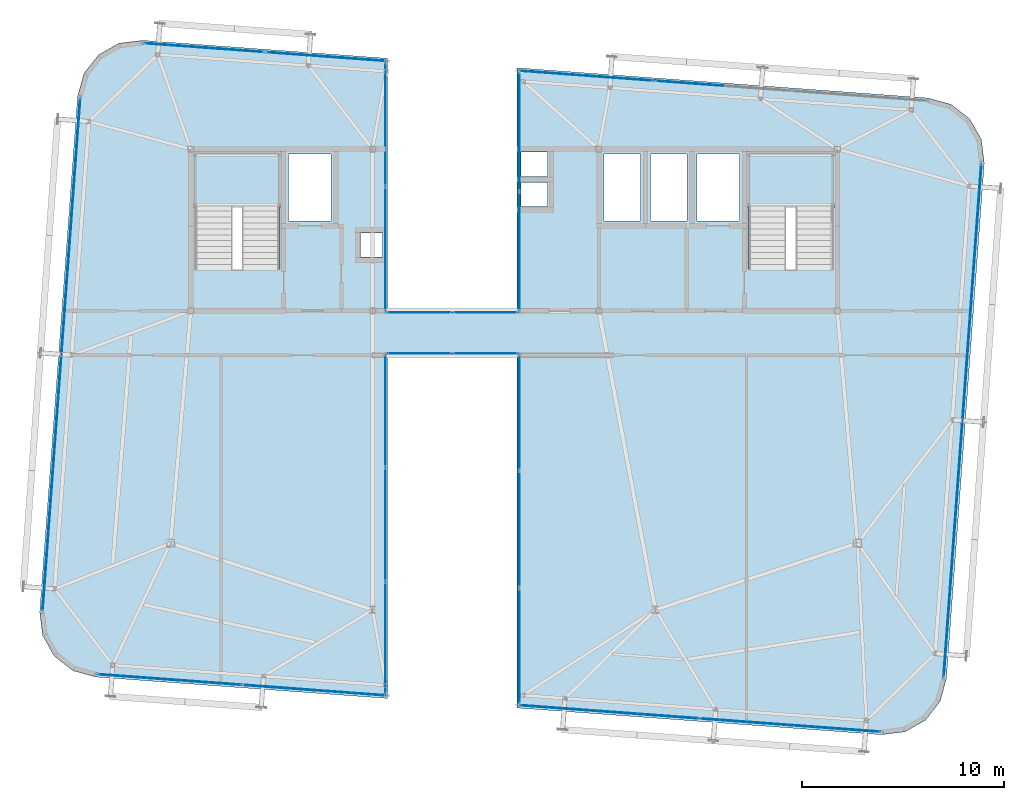
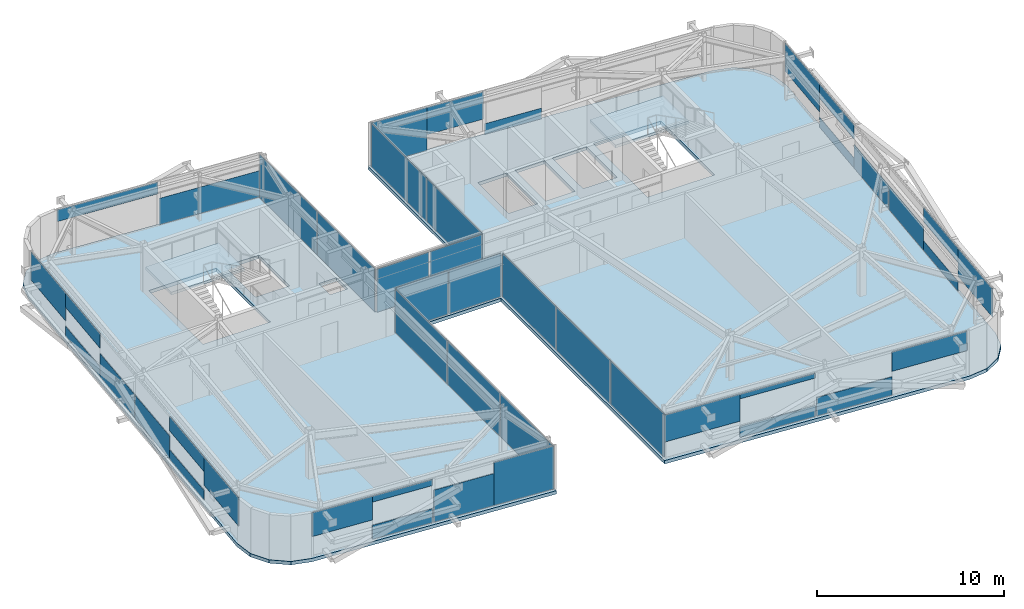
# One storey, part 27 of 39: 45 plates, 3 slabs, 14 elements without a shape of their own.
"""IFC4 building model written with IfcOpenShell, lengths in metres."""

from ifc_helpers import new_model, si_unit, direction, frame, origin, origin_2d, place, context, subcontext, project, spatial, polyline, rectangle, outline, extrude, source, transform, mapped, material, layer, layer_set, type_object, element, aggregate, save


model = new_model("IFC4")

# Units and contexts
model_context = context("Model", 3, precision=1e-05, world=origin(), true_north=direction((0.0, 1.0)))
body_context = subcontext(model_context, "Body", "Model", "MODEL_VIEW")
ifc_project = project(units=[si_unit("LENGTHUNIT", "METRE"), si_unit("AREAUNIT", "SQUARE_METRE"), si_unit("VOLUMEUNIT", "CUBIC_METRE"), si_unit("PLANEANGLEUNIT", "RADIAN"), si_unit("MASSUNIT", "GRAM", prefix="KILO")], contexts=[model_context])

# Site, building, storey
site_placement = place(None, origin())
site = spatial("IfcSite", under=ifc_project, at=site_placement, CompositionType="ELEMENT")
building_placement = place(site_placement, origin())
building = spatial("IfcBuilding", under=site, at=building_placement, Name="Taldren Reach Tower", CompositionType="ELEMENT")
storey_placement = place(building_placement, frame((0.0, 0.0, 230.300048828125)))
storey = spatial("IfcBuildingStorey", under=building, at=storey_placement, Name="L70", CompositionType="ELEMENT", Elevation=230.300048828125)

# Slab
ifc_material_1 = material(Name="Concrete N40 (40 MPa)", Category="concrete")
ifc_layer_1 = layer(ifc_material_1, 0.219970703125)
ifc_layer_set_1 = layer_set([ifc_layer_1], Name="Concrete N40 (40 MPa)")
slab_type_1 = type_object("IfcSlabType", Name="SL-FLR-220", PredefinedType="FLOOR", material=ifc_layer_set_1)
slab_1_placement = place(storey_placement, frame((0.0, 0.0, -0.219970703125)))
element("IfcSlab", 1, at=slab_1_placement, inside=storey, type_object=slab_type_1, Name="Suspended floor slab L70", PredefinedType="FLOOR", context=body_context, shape_type="SweptSolid", body=[
    extrude(outline(polyline([(55.5048828125, 34.529541015625), (56.633056640625, 34.217529296875), (57.55615234375, 33.497802734375), (58.13330078125, 32.4794921875), (58.277099609375, 31.31787109375), (56.402099609375, 5.78662109375), (56.09033203125, 4.658203125), (55.370361328125, 3.7353515625), (54.35205078125, 3.157958984375), (53.1904296875, 3.014404296875), (35.14990234375, 4.339111328125), (35.14990234375, 21.800048828125), (28.75, 21.800048828125), (28.75, 4.80908203125), (14.295166015625, 5.87060546875), (13.1669921875, 6.182373046875), (12.243896484375, 6.90234375), (11.666748046875, 7.920654296875), (11.52294921875, 9.082275390625), (13.39794921875, 34.613525390625), (13.709716796875, 35.74169921875), (14.429443359375, 36.664794921875), (15.44775390625, 37.241943359375), (16.609619140625, 37.3857421875), (28.75, 36.494140625), (28.75, 24.0), (35.14990234375, 24.0), (35.14990234375, 36.024169921875), (55.5048828125, 34.529541015625)]), holes=[polyline([(19.219970703125, 26.050048828125), (23.3798828125, 26.050048828125), (23.3798828125, 31.820068359375), (19.219970703125, 31.820068359375), (19.219970703125, 26.050048828125)]), polyline([(46.6201171875, 26.050048828125), (50.780029296875, 26.050048828125), (50.780029296875, 31.820068359375), (46.6201171875, 31.820068359375), (46.6201171875, 26.050048828125)]), polyline([(23.85009765625, 28.449951171875), (25.949951171875, 28.449951171875), (25.949951171875, 31.75), (23.85009765625, 31.75), (23.85009765625, 28.449951171875)]), polyline([(44.050048828125, 28.449951171875), (46.14990234375, 28.449951171875), (46.14990234375, 31.75), (44.050048828125, 31.75), (44.050048828125, 28.449951171875)]), polyline([(39.449951171875, 28.449951171875), (41.25, 28.449951171875), (41.25, 31.75), (39.449951171875, 31.75), (39.449951171875, 28.449951171875)]), polyline([(41.75, 28.449951171875), (43.550048828125, 28.449951171875), (43.550048828125, 31.75), (41.75, 31.75), (41.75, 28.449951171875)]), polyline([(35.35009765625, 30.64990234375), (36.64990234375, 30.64990234375), (36.64990234375, 31.85009765625), (35.35009765625, 31.85009765625), (35.35009765625, 30.64990234375)]), polyline([(35.35009765625, 29.14990234375), (36.64990234375, 29.14990234375), (36.64990234375, 30.35009765625), (35.35009765625, 30.35009765625), (35.35009765625, 29.14990234375)]), polyline([(27.39990234375, 26.64990234375), (28.5, 26.64990234375), (28.5, 27.85009765625), (27.39990234375, 27.85009765625), (27.39990234375, 26.64990234375)])]), origin(), (0.0, 0.0, 1.0), 0.219970703125),
])

# Stair, slab
ifc_material_2 = material(Name="Concrete S50 (50 MPa)", Category="concrete")
stair_type = type_object("IfcStairType", Name="ST-HT-315", PredefinedType="HALF_TURN_STAIR", material=ifc_material_2)
stair_1_placement = place(storey_placement, origin())
stair_1 = element("IfcStair", 2, at=stair_1_placement, inside=storey, type_object=stair_type, Name="Fire-isolated exit stair ST1 L70", PredefinedType="HALF_TURN_STAIR")
ifc_layer_2 = layer(ifc_material_2, 0.179931640625)
ifc_layer_set_2 = layer_set([ifc_layer_2], Name="Concrete S50 (50 MPa)")
slab_type_2 = type_object("IfcSlabType", Name="SL-LAND-180", PredefinedType="LANDING", material=ifc_layer_set_2)
slab_2_placement = place(storey_placement, frame((0.0, 0.0, 1.39501953125)))
slab_2 = element("IfcSlab", 3, at=slab_2_placement, type_object=slab_type_2, Name="ST1 landing 1", PredefinedType="LANDING", context=body_context, shape_type="SweptSolid", body=[
    extrude(outline(polyline([(19.0400390625, 29.135009765625), (23.56005859375, 29.135009765625), (23.56005859375, 31.8701171875), (19.0400390625, 31.8701171875), (19.0400390625, 29.135009765625)])), origin(), (0.0, 0.0, 1.0), 0.179931640625),
])
aggregate(stair_1, [slab_2])

stair_2_placement = place(storey_placement, origin())
stair_2 = element("IfcStair", 4, at=stair_2_placement, inside=storey, type_object=stair_type, Name="Fire-isolated exit stair ST2 L70", PredefinedType="HALF_TURN_STAIR")
slab_3_placement = place(storey_placement, frame((0.0, 0.0, 1.39501953125)))
slab_3 = element("IfcSlab", 5, at=slab_3_placement, type_object=slab_type_2, Name="ST2 landing 1", PredefinedType="LANDING", context=body_context, shape_type="SweptSolid", body=[
    extrude(outline(polyline([(46.43994140625, 29.135009765625), (50.9599609375, 29.135009765625), (50.9599609375, 31.8701171875), (46.43994140625, 31.8701171875), (46.43994140625, 29.135009765625)])), origin(), (0.0, 0.0, 1.0), 0.179931640625),
])
aggregate(stair_2, [slab_3])

# Curtain wall, plates
ifc_material_3 = material(Name="Aluminium and Low-E Glass Unitised System", Category="aluminium")
ifc_layer_3 = layer(ifc_material_3, 0.159912109375)
ifc_layer_set_3 = layer_set([ifc_layer_3], Name="Aluminium and Low-E Glass Unitised System")
curtain_wall_type = type_object("IfcCurtainWallType", Name="CW-SYS-7", PredefinedType="NOTDEFINED", material=ifc_layer_set_3)
curtain_wall_1_placement = place(storey_placement, origin())
curtain_wall_1 = element("IfcCurtainWall", 6, at=curtain_wall_1_placement, inside=storey, type_object=curtain_wall_type, Name="Unitised curtain wall CW7-L70-BRS", PredefinedType="NOTDEFINED")
ifc_material_4 = material(Name="Acoustic Triple-Laminated IGU", Category="glass")
ifc_layer_4 = layer(ifc_material_4, 0.035888671875)
ifc_layer_set_4 = layer_set([ifc_layer_4], Name="Acoustic Triple-Laminated IGU")
plate_type = type_object("IfcPlateType", Name="CW-PNL-IGU36", PredefinedType="CURTAIN_PANEL", material=ifc_layer_set_4)
shared_shape_1 = source(origin(), body_context, "Body", "SweptSolid", [
    extrude(rectangle(XDim=3.197509765625, YDim=0.035888671875, at=origin_2d()), origin(), (0.0, 0.0, 1.0), 2.81005859375),
])
plate_1_placement = place(storey_placement, frame((30.313720703125, 21.8798828125, 0.059814453125), z_axis=(0.0, 0.0, 1.0), x_axis=(1.0, 0.0, 0.0)))
plate_1 = element("IfcPlate", 7, at=plate_1_placement, type_object=plate_type, Name="CW-7 panel 1.1", PredefinedType="CURTAIN_PANEL", context=body_context, shape_type="MappedRepresentation", body=[
    mapped(shared_shape_1, transform((0.0, 0.0, 0.0), scale=1.0)),
])
plate_2_placement = place(storey_placement, frame((33.586181640625, 21.8798828125, 0.059814453125), z_axis=(0.0, 0.0, 1.0), x_axis=(1.0, 0.0, 0.0)))
plate_2 = element("IfcPlate", 8, at=plate_2_placement, type_object=plate_type, Name="CW-7 panel 2.1", PredefinedType="CURTAIN_PANEL", context=body_context, shape_type="MappedRepresentation", body=[
    mapped(shared_shape_1, transform((0.0, 0.0, 0.0), scale=1.0)),
])
aggregate(curtain_wall_1, [plate_1, plate_2])

curtain_wall_2_placement = place(storey_placement, origin())
curtain_wall_2 = element("IfcCurtainWall", 9, at=curtain_wall_2_placement, inside=storey, type_object=curtain_wall_type, Name="Unitised curtain wall CW7-L70-BRN", PredefinedType="NOTDEFINED")
plate_3_placement = place(storey_placement, frame((33.586181640625, 23.919921875, 0.059814453125), z_axis=(0.0, 0.0, 1.0), x_axis=(-1.0, 0.0, 0.0)))
plate_3 = element("IfcPlate", 10, at=plate_3_placement, type_object=plate_type, Name="CW-7 panel 1.1", PredefinedType="CURTAIN_PANEL", context=body_context, shape_type="MappedRepresentation", body=[
    mapped(shared_shape_1, transform((0.0, 0.0, 0.0), scale=1.0)),
])
plate_4_placement = place(storey_placement, frame((30.313720703125, 23.919921875, 0.059814453125), z_axis=(0.0, 0.0, 1.0), x_axis=(-1.0, 0.0, 0.0)))
plate_4 = element("IfcPlate", 11, at=plate_4_placement, type_object=plate_type, Name="CW-7 panel 2.1", PredefinedType="CURTAIN_PANEL", context=body_context, shape_type="MappedRepresentation", body=[
    mapped(shared_shape_1, transform((0.0, 0.0, 0.0), scale=1.0)),
])
aggregate(curtain_wall_2, [plate_3, plate_4])

curtain_wall_3_placement = place(storey_placement, origin())
curtain_wall_3 = element("IfcCurtainWall", 12, at=curtain_wall_3_placement, inside=storey, type_object=curtain_wall_type, Name="Unitised curtain wall CW7-L70-PSW", PredefinedType="NOTDEFINED")
shared_shape_2 = source(origin(), body_context, "Body", "SweptSolid", [
    extrude(rectangle(XDim=5.531005859375, YDim=0.035888671875, at=origin_2d()), origin(), (0.0, 0.0, 1.0), 2.81005859375),
])
plate_5_placement = place(storey_placement, frame((28.639892578125, 7.7900390625, 0.059814453125), z_axis=(0.0, 0.0, 1.0), x_axis=(0.0, 1.0, 0.0)))
plate_5 = element("IfcPlate", 13, at=plate_5_placement, type_object=plate_type, Name="CW-7 panel 1.1", PredefinedType="CURTAIN_PANEL", context=body_context, shape_type="MappedRepresentation", body=[
    mapped(shared_shape_2, transform((0.0, 0.0, 0.0), scale=1.0)),
])
plate_6_placement = place(storey_placement, frame((28.639892578125, 19.03955078125, 0.059814453125), z_axis=(0.0, 0.0, 1.0), x_axis=(0.0, 1.0, 0.0)))
plate_6 = element("IfcPlate", 14, at=plate_6_placement, type_object=plate_type, Name="CW-7 panel 3.1", PredefinedType="CURTAIN_PANEL", context=body_context, shape_type="MappedRepresentation", body=[
    mapped(shared_shape_2, transform((0.0, 0.0, 0.0), scale=1.0)),
])
shared_shape_3 = source(origin(), body_context, "Body", "SweptSolid", [
    extrude(rectangle(XDim=5.568603515625, YDim=0.035888671875, at=origin_2d()), origin(), (0.0, 0.0, 1.0), 2.81005859375),
])
plate_7_placement = place(storey_placement, frame((28.639892578125, 13.414794921875, 0.059814453125), z_axis=(0.0, 0.0, 1.0), x_axis=(0.0, 1.0, 0.0)))
plate_7 = element("IfcPlate", 15, at=plate_7_placement, type_object=plate_type, Name="CW-7 panel 2.1", PredefinedType="CURTAIN_PANEL", context=body_context, shape_type="MappedRepresentation", body=[
    mapped(shared_shape_3, transform((0.0, 0.0, 0.0), scale=1.0)),
])
aggregate(curtain_wall_3, [plate_5, plate_7, plate_6])

curtain_wall_4_placement = place(storey_placement, origin())
curtain_wall_4 = element("IfcCurtainWall", 16, at=curtain_wall_4_placement, inside=storey, type_object=curtain_wall_type, Name="Unitised curtain wall CW7-L70-PSE", PredefinedType="NOTDEFINED")
shared_shape_4 = source(origin(), body_context, "Body", "SweptSolid", [
    extrude(rectangle(XDim=5.687744140625, YDim=0.035888671875, at=origin_2d()), origin(), (0.0, 0.0, 1.0), 2.81005859375),
])
plate_8_placement = place(storey_placement, frame((35.260009765625, 18.961181640625, 0.059814453125), z_axis=(0.0, 0.0, 1.0), x_axis=(0.0, -1.0, 0.0)))
plate_8 = element("IfcPlate", 17, at=plate_8_placement, type_object=plate_type, Name="CW-7 panel 1.1", PredefinedType="CURTAIN_PANEL", context=body_context, shape_type="MappedRepresentation", body=[
    mapped(shared_shape_4, transform((0.0, 0.0, 0.0), scale=1.0)),
])
plate_9_placement = place(storey_placement, frame((35.260009765625, 7.3984375, 0.059814453125), z_axis=(0.0, 0.0, 1.0), x_axis=(0.0, -1.0, 0.0)))
plate_9 = element("IfcPlate", 18, at=plate_9_placement, type_object=plate_type, Name="CW-7 panel 3.1", PredefinedType="CURTAIN_PANEL", context=body_context, shape_type="MappedRepresentation", body=[
    mapped(shared_shape_4, transform((0.0, 0.0, 0.0), scale=1.0)),
])
shared_shape_5 = source(origin(), body_context, "Body", "SweptSolid", [
    extrude(rectangle(XDim=5.72509765625, YDim=0.035888671875, at=origin_2d()), origin(), (0.0, 0.0, 1.0), 2.81005859375),
])
plate_10_placement = place(storey_placement, frame((35.260009765625, 13.1796875, 0.059814453125), z_axis=(0.0, 0.0, 1.0), x_axis=(0.0, -1.0, 0.0)))
plate_10 = element("IfcPlate", 19, at=plate_10_placement, type_object=plate_type, Name="CW-7 panel 2.1", PredefinedType="CURTAIN_PANEL", context=body_context, shape_type="MappedRepresentation", body=[
    mapped(shared_shape_5, transform((0.0, 0.0, 0.0), scale=1.0)),
])
aggregate(curtain_wall_4, [plate_8, plate_10, plate_9])

curtain_wall_5_placement = place(storey_placement, origin())
curtain_wall_5 = element("IfcCurtainWall", 20, at=curtain_wall_5_placement, inside=storey, type_object=curtain_wall_type, Name="Unitised curtain wall CW7-L70-PNW", PredefinedType="NOTDEFINED")
shared_shape_6 = source(origin(), body_context, "Body", "SweptSolid", [
    extrude(rectangle(XDim=6.1044921875, YDim=0.035888671875, at=origin_2d()), origin(), (0.0, 0.0, 1.0), 2.81005859375),
])
plate_11_placement = place(storey_placement, frame((28.639892578125, 27.047119140625, 0.059814453125), z_axis=(0.0, 0.0, 1.0), x_axis=(0.0, 1.0, 0.0)))
plate_11 = element("IfcPlate", 21, at=plate_11_placement, type_object=plate_type, Name="CW-7 panel 1.1", PredefinedType="CURTAIN_PANEL", context=body_context, shape_type="MappedRepresentation", body=[
    mapped(shared_shape_6, transform((0.0, 0.0, 0.0), scale=1.0)),
])
plate_12_placement = place(storey_placement, frame((28.639892578125, 33.2265625, 0.059814453125), z_axis=(0.0, 0.0, 1.0), x_axis=(0.0, 1.0, 0.0)))
plate_12 = element("IfcPlate", 22, at=plate_12_placement, type_object=plate_type, Name="CW-7 panel 2.1", PredefinedType="CURTAIN_PANEL", context=body_context, shape_type="MappedRepresentation", body=[
    mapped(shared_shape_6, transform((0.0, 0.0, 0.0), scale=1.0)),
])
aggregate(curtain_wall_5, [plate_11, plate_12])

curtain_wall_6_placement = place(storey_placement, origin())
curtain_wall_6 = element("IfcCurtainWall", 23, at=curtain_wall_6_placement, inside=storey, type_object=curtain_wall_type, Name="Unitised curtain wall CW7-L70-PNE", PredefinedType="NOTDEFINED")
shared_shape_7 = source(origin(), body_context, "Body", "SweptSolid", [
    extrude(rectangle(XDim=5.869384765625, YDim=0.035888671875, at=origin_2d()), origin(), (0.0, 0.0, 1.0), 2.81005859375),
])
plate_13_placement = place(storey_placement, frame((35.260009765625, 32.8740234375, 0.059814453125), z_axis=(0.0, 0.0, 1.0), x_axis=(0.0, -1.0, 0.0)))
plate_13 = element("IfcPlate", 24, at=plate_13_placement, type_object=plate_type, Name="CW-7 panel 1.1", PredefinedType="CURTAIN_PANEL", context=body_context, shape_type="MappedRepresentation", body=[
    mapped(shared_shape_7, transform((0.0, 0.0, 0.0), scale=1.0)),
])
plate_14_placement = place(storey_placement, frame((35.260009765625, 26.9296875, 0.059814453125), z_axis=(0.0, 0.0, 1.0), x_axis=(0.0, -1.0, 0.0)))
plate_14 = element("IfcPlate", 25, at=plate_14_placement, type_object=plate_type, Name="CW-7 panel 2.1", PredefinedType="CURTAIN_PANEL", context=body_context, shape_type="MappedRepresentation", body=[
    mapped(shared_shape_7, transform((0.0, 0.0, 0.0), scale=1.0)),
])
aggregate(curtain_wall_6, [plate_13, plate_14])

curtain_wall_7_placement = place(storey_placement, origin())
curtain_wall_7 = element("IfcCurtainWall", 26, at=curtain_wall_7_placement, inside=storey, type_object=curtain_wall_type, Name="Unitised curtain wall CW-L70-W", PredefinedType="NOTDEFINED")
shared_shape_8 = source(origin(), body_context, "Body", "SweptSolid", [
    extrude(rectangle(XDim=4.229248046875, YDim=0.035888671875, at=origin_2d()), origin(), (0.0, 0.0, 1.0), 1.82861328125),
])
plate_15_placement = place(storey_placement, frame((13.377197265625, 32.41943359375, 1.041259765625), z_axis=(0.0, 0.0, 1.0), x_axis=(-0.073238282558, -0.997314470951, 0.0)))
plate_15 = element("IfcPlate", 27, at=plate_15_placement, type_object=plate_type, Name="CW-7 panel 1.1 part 1", PredefinedType="CURTAIN_PANEL", context=body_context, shape_type="MappedRepresentation", body=[
    mapped(shared_shape_8, transform((0.0, 0.0, 0.0), scale=1.0)),
])
plate_16_placement = place(storey_placement, frame((11.822998046875, 11.255615234375, 1.041259765625), z_axis=(0.0, 0.0, 1.0), x_axis=(-0.073238282558, -0.997314470951, 0.0)))
plate_16 = element("IfcPlate", 28, at=plate_16_placement, type_object=plate_type, Name="CW-7 panel 2.1 part 4", PredefinedType="CURTAIN_PANEL", context=body_context, shape_type="MappedRepresentation", body=[
    mapped(shared_shape_8, transform((0.0, 0.0, 0.0), scale=1.0)),
])

curtain_wall_8_placement = place(storey_placement, origin())
curtain_wall_8 = element("IfcCurtainWall", 29, at=curtain_wall_8_placement, inside=storey, type_object=curtain_wall_type, Name="Unitised curtain wall CW-L70-E", PredefinedType="NOTDEFINED")
plate_17_placement = place(storey_placement, frame((56.4228515625, 7.98046875, 1.041259765625), z_axis=(0.0, 0.0, 1.0), x_axis=(0.073238282558, 0.997314470951, 0.0)))
plate_17 = element("IfcPlate", 30, at=plate_17_placement, type_object=plate_type, Name="CW-7 panel 1.1 part 1", PredefinedType="CURTAIN_PANEL", context=body_context, shape_type="MappedRepresentation", body=[
    mapped(shared_shape_8, transform((0.0, 0.0, 0.0), scale=1.0)),
])
plate_18_placement = place(storey_placement, frame((57.97705078125, 29.144287109375, 1.041259765625), z_axis=(0.0, 0.0, 1.0), x_axis=(0.073238282558, 0.997314470951, 0.0)))
plate_18 = element("IfcPlate", 31, at=plate_18_placement, type_object=plate_type, Name="CW-7 panel 2.1 part 4", PredefinedType="CURTAIN_PANEL", context=body_context, shape_type="MappedRepresentation", body=[
    mapped(shared_shape_8, transform((0.0, 0.0, 0.0), scale=1.0)),
])

# Plate
shared_shape_9 = source(origin(), body_context, "Body", "SweptSolid", [
    extrude(rectangle(XDim=4.229248046875, YDim=0.035888671875, at=origin_2d()), origin(), (0.0, 0.0, 1.0), 0.63916015625),
])
plate_19_placement = place(storey_placement, frame((13.0673828125, 28.20166015625, 0.06005859375), z_axis=(0.0, 0.0, 1.0), x_axis=(-0.073238282558, -0.997314470951, 0.0)))
plate_19 = element("IfcPlate", 32, at=plate_19_placement, type_object=plate_type, Name="CW-7 panel 1.1 part 2", PredefinedType="CURTAIN_PANEL", context=body_context, shape_type="MappedRepresentation", body=[
    mapped(shared_shape_9, transform((0.0, 0.0, 0.0), scale=1.0)),
])

plate_20_placement = place(storey_placement, frame((12.1328125, 15.473388671875, 0.06005859375), z_axis=(0.0, 0.0, 1.0), x_axis=(-0.073238282558, -0.997314470951, 0.0)))
plate_20 = element("IfcPlate", 33, at=plate_20_placement, type_object=plate_type, Name="CW-7 panel 2.1 part 2", PredefinedType="CURTAIN_PANEL", context=body_context, shape_type="MappedRepresentation", body=[
    mapped(shared_shape_9, transform((0.0, 0.0, 0.0), scale=1.0)),
])

plate_21_placement = place(storey_placement, frame((56.732666015625, 12.1982421875, 0.06005859375), z_axis=(0.0, 0.0, 1.0), x_axis=(0.073238282558, 0.997314470951, 0.0)))
plate_21 = element("IfcPlate", 34, at=plate_21_placement, type_object=plate_type, Name="CW-7 panel 1.1 part 2", PredefinedType="CURTAIN_PANEL", context=body_context, shape_type="MappedRepresentation", body=[
    mapped(shared_shape_9, transform((0.0, 0.0, 0.0), scale=1.0)),
])

plate_22_placement = place(storey_placement, frame((57.667236328125, 24.926513671875, 0.06005859375), z_axis=(0.0, 0.0, 1.0), x_axis=(0.073238282558, 0.997314470951, 0.0)))
plate_22 = element("IfcPlate", 35, at=plate_22_placement, type_object=plate_type, Name="CW-7 panel 2.1 part 2", PredefinedType="CURTAIN_PANEL", context=body_context, shape_type="MappedRepresentation", body=[
    mapped(shared_shape_9, transform((0.0, 0.0, 0.0), scale=1.0)),
])

shared_shape_10 = source(origin(), body_context, "Body", "SweptSolid", [
    extrude(rectangle(XDim=4.229248046875, YDim=0.035888671875, at=origin_2d()), origin(), (0.0, 0.0, 1.0), 0.94287109375),
])
plate_23_placement = place(storey_placement, frame((13.0673828125, 28.20166015625, 1.92724609375), z_axis=(0.0, 0.0, 1.0), x_axis=(-0.073238282558, -0.997314470951, 0.0)))
plate_23 = element("IfcPlate", 36, at=plate_23_placement, type_object=plate_type, Name="CW-7 panel 1.1 part 3", PredefinedType="CURTAIN_PANEL", context=body_context, shape_type="MappedRepresentation", body=[
    mapped(shared_shape_10, transform((0.0, 0.0, 0.0), scale=1.0)),
])

plate_24_placement = place(storey_placement, frame((12.1328125, 15.473388671875, 1.92724609375), z_axis=(0.0, 0.0, 1.0), x_axis=(-0.073238282558, -0.997314470951, 0.0)))
plate_24 = element("IfcPlate", 37, at=plate_24_placement, type_object=plate_type, Name="CW-7 panel 2.1 part 3", PredefinedType="CURTAIN_PANEL", context=body_context, shape_type="MappedRepresentation", body=[
    mapped(shared_shape_10, transform((0.0, 0.0, 0.0), scale=1.0)),
])

plate_25_placement = place(storey_placement, frame((56.732666015625, 12.1982421875, 1.92724609375), z_axis=(0.0, 0.0, 1.0), x_axis=(0.073238282558, 0.997314470951, 0.0)))
plate_25 = element("IfcPlate", 38, at=plate_25_placement, type_object=plate_type, Name="CW-7 panel 1.1 part 3", PredefinedType="CURTAIN_PANEL", context=body_context, shape_type="MappedRepresentation", body=[
    mapped(shared_shape_10, transform((0.0, 0.0, 0.0), scale=1.0)),
])

plate_26_placement = place(storey_placement, frame((57.667236328125, 24.926513671875, 1.92724609375), z_axis=(0.0, 0.0, 1.0), x_axis=(0.073238282558, 0.997314470951, 0.0)))
plate_26 = element("IfcPlate", 39, at=plate_26_placement, type_object=plate_type, Name="CW-7 panel 2.1 part 3", PredefinedType="CURTAIN_PANEL", context=body_context, shape_type="MappedRepresentation", body=[
    mapped(shared_shape_10, transform((0.0, 0.0, 0.0), scale=1.0)),
])

shared_shape_11 = source(origin(), body_context, "Body", "SweptSolid", [
    extrude(rectangle(XDim=4.229248046875, YDim=0.035888671875, at=origin_2d()), origin(), (0.0, 0.0, 1.0), 1.525146484375),
])
plate_27_placement = place(storey_placement, frame((12.757568359375, 23.98388671875, 0.06005859375), z_axis=(0.0, 0.0, 1.0), x_axis=(-0.073238282558, -0.997314470951, 0.0)))
plate_27 = element("IfcPlate", 40, at=plate_27_placement, type_object=plate_type, Name="CW-7 panel 1.1 part 4", PredefinedType="CURTAIN_PANEL", context=body_context, shape_type="MappedRepresentation", body=[
    mapped(shared_shape_11, transform((0.0, 0.0, 0.0), scale=1.0)),
])

plate_28_placement = place(storey_placement, frame((12.4423828125, 19.69140625, 0.06005859375), z_axis=(0.0, 0.0, 1.0), x_axis=(-0.073238282558, -0.997314470951, 0.0)))
plate_28 = element("IfcPlate", 41, at=plate_28_placement, type_object=plate_type, Name="CW-7 panel 2.1 part 1", PredefinedType="CURTAIN_PANEL", context=body_context, shape_type="MappedRepresentation", body=[
    mapped(shared_shape_11, transform((0.0, 0.0, 0.0), scale=1.0)),
])

aggregate(curtain_wall_7, [plate_15, plate_19, plate_23, plate_27, plate_28, plate_20, plate_24, plate_16])

plate_29_placement = place(storey_placement, frame((57.042236328125, 16.416015625, 0.06005859375), z_axis=(0.0, 0.0, 1.0), x_axis=(0.073238282558, 0.997314470951, 0.0)))
plate_29 = element("IfcPlate", 42, at=plate_29_placement, type_object=plate_type, Name="CW-7 panel 1.1 part 4", PredefinedType="CURTAIN_PANEL", context=body_context, shape_type="MappedRepresentation", body=[
    mapped(shared_shape_11, transform((0.0, 0.0, 0.0), scale=1.0)),
])

plate_30_placement = place(storey_placement, frame((57.357666015625, 20.708740234375, 0.06005859375), z_axis=(0.0, 0.0, 1.0), x_axis=(0.073238282558, 0.997314470951, 0.0)))
plate_30 = element("IfcPlate", 43, at=plate_30_placement, type_object=plate_type, Name="CW-7 panel 2.1 part 1", PredefinedType="CURTAIN_PANEL", context=body_context, shape_type="MappedRepresentation", body=[
    mapped(shared_shape_11, transform((0.0, 0.0, 0.0), scale=1.0)),
])

aggregate(curtain_wall_8, [plate_17, plate_21, plate_25, plate_29, plate_30, plate_22, plate_26, plate_18])

# Curtain wall, plate
curtain_wall_9_placement = place(storey_placement, origin())
curtain_wall_9 = element("IfcCurtainWall", 44, at=curtain_wall_9_placement, inside=storey, type_object=curtain_wall_type, Name="Unitised curtain wall CW-L70-SWING", PredefinedType="NOTDEFINED")
shared_shape_12 = source(origin(), body_context, "Body", "SweptSolid", [
    extrude(rectangle(XDim=3.564697265625, YDim=0.035888671875, at=origin_2d()), origin(), (0.0, 0.0, 1.0), 2.81005859375),
])
plate_31_placement = place(storey_placement, frame((26.897705078125, 5.08544921875, 0.059814453125), z_axis=(0.0, 0.0, 1.0), x_axis=(0.997314480811, -0.073238148285, 0.0)))
plate_31 = element("IfcPlate", 45, at=plate_31_placement, type_object=plate_type, Name="CW-7 panel 2.1 part 2", PredefinedType="CURTAIN_PANEL", context=body_context, shape_type="MappedRepresentation", body=[
    mapped(shared_shape_12, transform((0.0, 0.0, 0.0), scale=1.0)),
])

curtain_wall_10_placement = place(storey_placement, origin())
curtain_wall_10 = element("IfcCurtainWall", 46, at=curtain_wall_10_placement, inside=storey, type_object=curtain_wall_type, Name="Unitised curtain wall CW-L70-NEWING", PredefinedType="NOTDEFINED")
shared_shape_13 = source(origin(), body_context, "Body", "SweptSolid", [
    extrude(rectangle(XDim=3.34375, YDim=0.035888671875, at=origin_2d()), origin(), (0.0, 0.0, 1.0), 2.81005859375),
])
plate_32_placement = place(storey_placement, frame((36.89208984375, 35.755859375, 0.059814453125), z_axis=(0.0, 0.0, 1.0), x_axis=(-0.997314475893, 0.073238215265, 0.0)))
plate_32 = element("IfcPlate", 47, at=plate_32_placement, type_object=plate_type, Name="CW-7 panel 3.1 part 2", PredefinedType="CURTAIN_PANEL", context=body_context, shape_type="MappedRepresentation", body=[
    mapped(shared_shape_13, transform((0.0, 0.0, 0.0), scale=1.0)),
])

# Plate
shared_shape_14 = source(origin(), body_context, "Body", "SweptSolid", [
    extrude(rectangle(XDim=3.564697265625, YDim=0.035888671875, at=origin_2d()), origin(), (0.0, 0.0, 1.0), 1.5517578125),
])
plate_33_placement = place(storey_placement, frame((16.15771484375, 5.874267578125, 1.318359375), z_axis=(0.0, 0.0, 1.0), x_axis=(0.997314480811, -0.073238148285, 0.0)))
plate_33 = element("IfcPlate", 48, at=plate_33_placement, type_object=plate_type, Name="CW-7 panel 1.1 part 1", PredefinedType="CURTAIN_PANEL", context=body_context, shape_type="MappedRepresentation", body=[
    mapped(shared_shape_14, transform((0.0, 0.0, 0.0), scale=1.0)),
])

shared_shape_15 = source(origin(), body_context, "Body", "SweptSolid", [
    extrude(rectangle(XDim=3.564697265625, YDim=0.035888671875, at=origin_2d()), origin(), (0.0, 0.0, 1.0), 0.90673828125),
])
plate_34_placement = place(storey_placement, frame((19.712890625, 5.613037109375, 0.059814453125), z_axis=(0.0, 0.0, 1.0), x_axis=(0.997314480811, -0.073238148285, 0.0)))
plate_34 = element("IfcPlate", 49, at=plate_34_placement, type_object=plate_type, Name="CW-7 panel 1.1 part 2", PredefinedType="CURTAIN_PANEL", context=body_context, shape_type="MappedRepresentation", body=[
    mapped(shared_shape_15, transform((0.0, 0.0, 0.0), scale=1.0)),
])

shared_shape_16 = source(origin(), body_context, "Body", "SweptSolid", [
    extrude(rectangle(XDim=3.564697265625, YDim=0.035888671875, at=origin_2d()), origin(), (0.0, 0.0, 1.0), 0.3935546875),
])
plate_35_placement = place(storey_placement, frame((19.712890625, 5.613037109375, 2.476318359375), z_axis=(0.0, 0.0, 1.0), x_axis=(0.997314480811, -0.073238148285, 0.0)))
plate_35 = element("IfcPlate", 50, at=plate_35_placement, type_object=plate_type, Name="CW-7 panel 1.1 part 3", PredefinedType="CURTAIN_PANEL", context=body_context, shape_type="MappedRepresentation", body=[
    mapped(shared_shape_16, transform((0.0, 0.0, 0.0), scale=1.0)),
])

shared_shape_17 = source(origin(), body_context, "Body", "SweptSolid", [
    extrude(rectangle(XDim=3.564697265625, YDim=0.035888671875, at=origin_2d()), origin(), (0.0, 0.0, 1.0), 2.089111328125),
])
plate_36_placement = place(storey_placement, frame((23.342529296875, 5.346435546875, 0.06005859375), z_axis=(0.0, 0.0, 1.0), x_axis=(0.997314480811, -0.073238148285, 0.0)))
plate_36 = element("IfcPlate", 51, at=plate_36_placement, type_object=plate_type, Name="CW-7 panel 2.1 part 1", PredefinedType="CURTAIN_PANEL", context=body_context, shape_type="MappedRepresentation", body=[
    mapped(shared_shape_17, transform((0.0, 0.0, 0.0), scale=1.0)),
])

aggregate(curtain_wall_9, [plate_33, plate_34, plate_35, plate_36, plate_31])

# Curtain wall, plates
curtain_wall_11_placement = place(storey_placement, origin())
curtain_wall_11 = element("IfcCurtainWall", 52, at=curtain_wall_11_placement, inside=storey, type_object=curtain_wall_type, Name="Unitised curtain wall CW-L70-SEWING", PredefinedType="NOTDEFINED")
shared_shape_18 = source(origin(), body_context, "Body", "SweptSolid", [
    extrude(rectangle(XDim=4.468505859375, YDim=0.035888671875, at=origin_2d()), origin(), (0.0, 0.0, 1.0), 1.758056640625),
])
plate_37_placement = place(storey_placement, frame((37.453125, 4.310302734375, 1.11181640625), z_axis=(0.0, 0.0, 1.0), x_axis=(0.997314485363, -0.073238086301, 0.0)))
plate_37 = element("IfcPlate", 53, at=plate_37_placement, type_object=plate_type, Name="CW-7 panel 1.1 part 1", PredefinedType="CURTAIN_PANEL", context=body_context, shape_type="MappedRepresentation", body=[
    mapped(shared_shape_18, transform((0.0, 0.0, 0.0), scale=1.0)),
])
shared_shape_19 = source(origin(), body_context, "Body", "SweptSolid", [
    extrude(rectangle(XDim=4.468505859375, YDim=0.035888671875, at=origin_2d()), origin(), (0.0, 0.0, 1.0), 0.7001953125),
])
plate_38_placement = place(storey_placement, frame((41.90966796875, 3.983154296875, 0.06005859375), z_axis=(0.0, 0.0, 1.0), x_axis=(0.997314485363, -0.073238086301, 0.0)))
plate_38 = element("IfcPlate", 54, at=plate_38_placement, type_object=plate_type, Name="CW-7 panel 1.1 part 2", PredefinedType="CURTAIN_PANEL", context=body_context, shape_type="MappedRepresentation", body=[
    mapped(shared_shape_19, transform((0.0, 0.0, 0.0), scale=1.0)),
])
shared_shape_20 = source(origin(), body_context, "Body", "SweptSolid", [
    extrude(rectangle(XDim=4.468505859375, YDim=0.035888671875, at=origin_2d()), origin(), (0.0, 0.0, 1.0), 0.306396484375),
])
plate_39_placement = place(storey_placement, frame((41.90966796875, 3.983154296875, 2.5634765625), z_axis=(0.0, 0.0, 1.0), x_axis=(0.997314485363, -0.073238086301, 0.0)))
plate_39 = element("IfcPlate", 55, at=plate_39_placement, type_object=plate_type, Name="CW-7 panel 1.1 part 3", PredefinedType="CURTAIN_PANEL", context=body_context, shape_type="MappedRepresentation", body=[
    mapped(shared_shape_20, transform((0.0, 0.0, 0.0), scale=1.0)),
])
shared_shape_21 = source(origin(), body_context, "Body", "SweptSolid", [
    extrude(rectangle(XDim=4.468505859375, YDim=0.035888671875, at=origin_2d()), origin(), (0.0, 0.0, 1.0), 1.2001953125),
])
plate_40_placement = place(storey_placement, frame((46.441162109375, 3.650390625, 0.06005859375), z_axis=(0.0, 0.0, 1.0), x_axis=(0.997314485363, -0.073238086301, 0.0)))
plate_40 = element("IfcPlate", 56, at=plate_40_placement, type_object=plate_type, Name="CW-7 panel 2.1 part 1", PredefinedType="CURTAIN_PANEL", context=body_context, shape_type="MappedRepresentation", body=[
    mapped(shared_shape_21, transform((0.0, 0.0, 0.0), scale=1.0)),
])
shared_shape_22 = source(origin(), body_context, "Body", "SweptSolid", [
    extrude(rectangle(XDim=4.468505859375, YDim=0.035888671875, at=origin_2d()), origin(), (0.0, 0.0, 1.0), 1.258056640625),
])
plate_41_placement = place(storey_placement, frame((50.897705078125, 3.322998046875, 1.61181640625), z_axis=(0.0, 0.0, 1.0), x_axis=(0.997314485363, -0.073238086301, 0.0)))
plate_41 = element("IfcPlate", 57, at=plate_41_placement, type_object=plate_type, Name="CW-7 panel 2.1 part 2", PredefinedType="CURTAIN_PANEL", context=body_context, shape_type="MappedRepresentation", body=[
    mapped(shared_shape_22, transform((0.0, 0.0, 0.0), scale=1.0)),
])
aggregate(curtain_wall_11, [plate_37, plate_38, plate_39, plate_40, plate_41])

# Plate
shared_shape_23 = source(origin(), body_context, "Body", "SweptSolid", [
    extrude(rectangle(XDim=3.3623046875, YDim=0.035888671875, at=origin_2d()), origin(), (0.0, 0.0, 1.0), 0.6982421875),
])
plate_42_placement = place(storey_placement, frame((43.6455078125, 35.260009765625, 0.059814453125), z_axis=(0.0, 0.0, 1.0), x_axis=(-0.997314475893, 0.073238215265, 0.0)))
plate_42 = element("IfcPlate", 58, at=plate_42_placement, type_object=plate_type, Name="CW-7 panel 2.1 part 2", PredefinedType="CURTAIN_PANEL", context=body_context, shape_type="MappedRepresentation", body=[
    mapped(shared_shape_23, transform((0.0, 0.0, 0.0), scale=1.0)),
])

shared_shape_24 = source(origin(), body_context, "Body", "SweptSolid", [
    extrude(rectangle(XDim=3.34375, YDim=0.035888671875, at=origin_2d()), origin(), (0.0, 0.0, 1.0), 1.784423828125),
])
plate_43_placement = place(storey_placement, frame((40.226806640625, 35.510986328125, 1.08544921875), z_axis=(0.0, 0.0, 1.0), x_axis=(-0.997314475893, 0.073238215265, 0.0)))
plate_43 = element("IfcPlate", 59, at=plate_43_placement, type_object=plate_type, Name="CW-7 panel 3.1 part 1", PredefinedType="CURTAIN_PANEL", context=body_context, shape_type="MappedRepresentation", body=[
    mapped(shared_shape_24, transform((0.0, 0.0, 0.0), scale=1.0)),
])

aggregate(curtain_wall_10, [plate_42, plate_43, plate_32])

# Curtain wall, plates
curtain_wall_12_placement = place(storey_placement, origin())
curtain_wall_12 = element("IfcCurtainWall", 60, at=curtain_wall_12_placement, inside=storey, type_object=curtain_wall_type, Name="Unitised curtain wall CW-L70-NWING", PredefinedType="NOTDEFINED")
shared_shape_25 = source(origin(), body_context, "Body", "SweptSolid", [
    extrude(rectangle(XDim=5.979248046875, YDim=0.035888671875, at=origin_2d()), origin(), (0.0, 0.0, 1.0), 1.71533203125),
])
plate_44_placement = place(storey_placement, frame((25.693603515625, 36.578125, 0.06005859375), z_axis=(0.0, 0.0, 1.0), x_axis=(-0.99731449581, 0.073237944038, 0.0)))
plate_44 = element("IfcPlate", 61, at=plate_44_placement, type_object=plate_type, Name="CW-7 panel 1.1 part 1", PredefinedType="CURTAIN_PANEL", context=body_context, shape_type="MappedRepresentation", body=[
    mapped(shared_shape_25, transform((0.0, 0.0, 0.0), scale=1.0)),
])
shared_shape_26 = source(origin(), body_context, "Body", "SweptSolid", [
    extrude(rectangle(XDim=5.979248046875, YDim=0.035888671875, at=origin_2d()), origin(), (0.0, 0.0, 1.0), 0.767333984375),
])
plate_45_placement = place(storey_placement, frame((19.65576171875, 37.021728515625, 2.1025390625), z_axis=(0.0, 0.0, 1.0), x_axis=(-0.99731449581, 0.073237944038, 0.0)))
plate_45 = element("IfcPlate", 62, at=plate_45_placement, type_object=plate_type, Name="CW-7 panel 2.1 part 1", PredefinedType="CURTAIN_PANEL", context=body_context, shape_type="MappedRepresentation", body=[
    mapped(shared_shape_26, transform((0.0, 0.0, 0.0), scale=1.0)),
])
aggregate(curtain_wall_12, [plate_44, plate_45])

save(model, "model.ifc")
